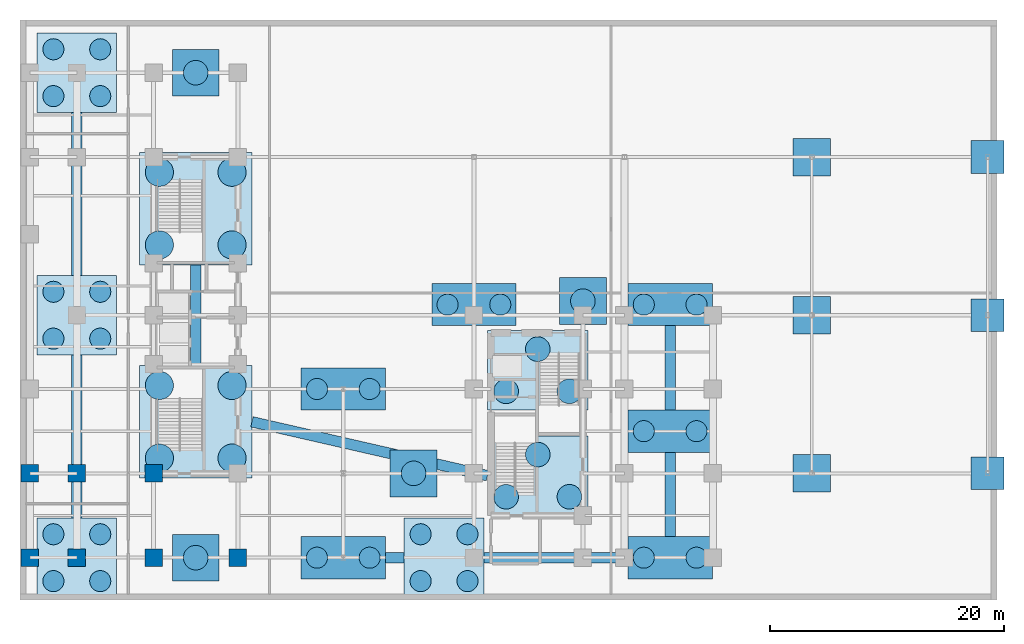
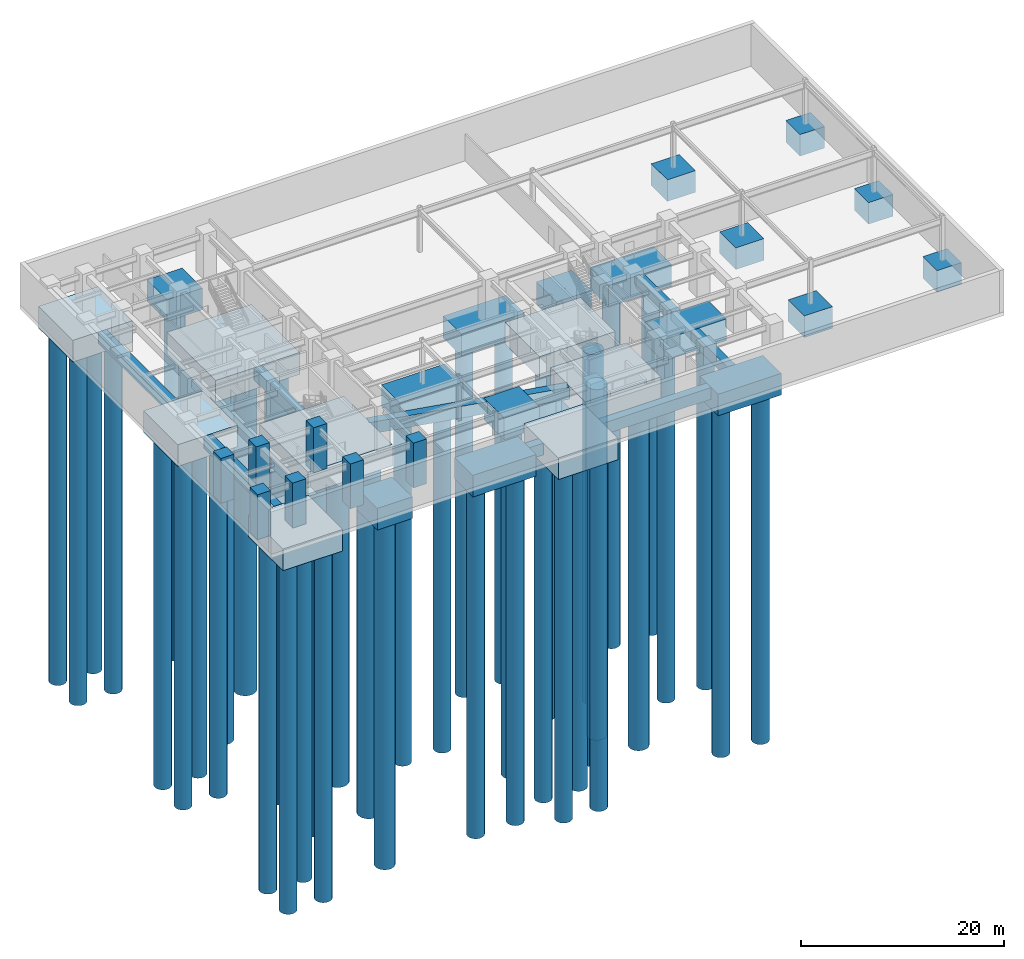
# One storey, part 1 of 11: 46 piles, 32 footings, 7 columns.
"""IFC4 building model written with IfcOpenShell, lengths in metres."""

from ifc_helpers import new_model, entity, si_unit, converted_unit, direction, frame, origin_with_axes, origin_2d_with_axis, place, context, subcontext, project, spatial, rectangle, circle, extrude, material, material_profile, profile_set, type_object, element, save


model = new_model("IFC4")

# Units and contexts
model_context = context("Model", 3, precision=1e-05, world=origin_with_axes(), true_north=direction((0.0, 1.0)))
body_context = subcontext(model_context, "Body", "Model", "MODEL_VIEW")
ifc_project = project(units=[si_unit("LENGTHUNIT", "METRE"), si_unit("AREAUNIT", "SQUARE_METRE"), si_unit("VOLUMEUNIT", "CUBIC_METRE"), converted_unit("PLANEANGLEUNIT", "DEGREE", entity("IfcPlaneAngleMeasure", 0.017453292519943295), si_unit("PLANEANGLEUNIT", "RADIAN"), dimensions=[0, 0, 0, 0, 0, 0, 0]), si_unit("MASSUNIT", "GRAM", prefix="KILO"), si_unit("THERMODYNAMICTEMPERATUREUNIT", "KELVIN")], contexts=[model_context])

# Site, building, storey
site_placement = place(None, origin_with_axes())
site = spatial("IfcSite", under=ifc_project, at=site_placement, CompositionType="ELEMENT")
building_placement = place(site_placement, origin_with_axes())
building = spatial("IfcBuilding", under=site, at=building_placement, Name="Varnlund Millrace Tower", CompositionType="ELEMENT")
storey_placement = place(building_placement, frame((0.0, 0.0, -10.2), z_axis=(0.0, 0.0, 1.0), x_axis=(1.0, 0.0, 0.0)))
storey = spatial("IfcBuildingStorey", under=building, at=storey_placement, Name="B2", CompositionType="ELEMENT", Elevation=-10.2)

# Piles
ifc_material_1 = material(Name="Concrete C50/60", Category="concrete")
ifc_material_profile_1 = material_profile(ifc_material_1, circle(Radius=0.9, at=origin_2d_with_axis()), Name="Concrete C50/60")
ifc_profile_set_1 = profile_set([ifc_material_profile_1], Name="Concrete C50/60")
pile_type_1 = type_object("IfcPileType", Name="Type-Caisson-D1800", PredefinedType="BORED", material=ifc_profile_set_1)
for number, where, z_axis, x_axis, name in (
    (1, (2.85, 1.6, -44.65), (0.0, 0.0, 1.0), (1.0, 0.0, 0.0), "Type-Caisson-D1800"),
    (2, (6.85, 1.6, -44.65), (0.0, 0.0, 1.0), (1.0, 0.0, 0.0), "Type-Caisson-D1800"),
    (3, (2.85, 5.6, -44.65), (0.0, 0.0, 1.0), (1.0, 0.0, 0.0), "Type-Caisson-D1800"),
    (4, (6.85, 5.6, -44.65), (0.0, 0.0, 1.0), (1.0, 0.0, 0.0), "Type-Caisson-D1800"),
    (5, (2.85, 22.3, -44.65), (0.0, 0.0, 1.0), (1.0, 0.0, 0.0), "Type-Caisson-D1800"),
    (6, (6.85, 22.3, -44.65), (0.0, 0.0, 1.0), (1.0, 0.0, 0.0), "Type-Caisson-D1800"),
    (7, (2.85, 26.3, -44.65), (0.0, 0.0, 1.0), (1.0, 0.0, 0.0), "Type-Caisson-D1800"),
    (8, (6.85, 26.3, -44.65), (0.0, 0.0, 1.0), (1.0, 0.0, 0.0), "Type-Caisson-D1800"),
    (9, (2.85, 43.0, -44.65), (0.0, 0.0, 1.0), (1.0, 0.0, 0.0), "Type-Caisson-D1800"),
    (10, (6.85, 43.0, -44.65), (0.0, 0.0, 1.0), (1.0, 0.0, 0.0), "Type-Caisson-D1800"),
    (11, (2.85, 47.0, -44.65), (0.0, 0.0, 1.0), (1.0, 0.0, 0.0), "Type-Caisson-D1800"),
    (12, (6.85, 47.0, -44.65), (0.0, 0.0, 1.0), (1.0, 0.0, 0.0), "Type-Caisson-D1800"),
    (13, (34.2, 1.6, -44.65), (0.0, 0.0, 1.0), (1.0, 0.0, 0.0), "Type-Caisson-D1800"),
    (14, (38.2, 1.6, -44.65), (0.0, 0.0, 1.0), (1.0, 0.0, 0.0), "Type-Caisson-D1800"),
    (15, (34.2, 5.6, -44.65), (0.0, 0.0, 1.0), (1.0, 0.0, 0.0), "Type-Caisson-D1800"),
    (16, (38.2, 5.6, -44.65), (0.0, 0.0, 1.0), (1.0, 0.0, 0.0), "Type-Caisson-D1800"),
    (17, (25.35, 3.6, -44.65), (0.0, 0.0, 1.0), (1.0, 0.0, 0.0), "Type-Caisson-D1800"),
    (18, (29.85, 3.6, -44.65), (0.0, 0.0, 1.0), (1.0, 0.0, 0.0), "Type-Caisson-D1800"),
    (19, (25.35, 18.0, -44.65), (0.0, 0.0, 1.0), (1.0, 0.0, 0.0), "Type-Caisson-D1800"),
    (20, (29.85, 18.0, -44.65), (0.0, 0.0, 1.0), (1.0, 0.0, 0.0), "Type-Caisson-D1800"),
    (21, (53.25, 3.6, -44.65), (0.0, 0.0, 1.0), (1.0, 0.0, 0.0), "Type-Caisson-D1800"),
    (22, (57.75, 3.6, -44.65), (0.0, 0.0, 1.0), (1.0, 0.0, 0.0), "Type-Caisson-D1800"),
    (23, (53.25, 14.4, -44.65), (0.0, 0.0, 1.0), (1.0, 0.0, 0.0), "Type-Caisson-D1800"),
    (24, (57.75, 14.4, -44.65), (0.0, 0.0, 1.0), (1.0, 0.0, 0.0), "Type-Caisson-D1800"),
    (25, (53.25, 25.2, -44.65), (0.0, 0.0, 1.0), (1.0, 0.0, 0.0), "Type-Caisson-D1800"),
    (26, (57.75, 25.2, -44.65), (0.0, 0.0, 1.0), (1.0, 0.0, 0.0), "Type-Caisson-D1800"),
    (27, (36.5, 25.2, -44.65), (0.0, 0.0, 1.0), (1.0, 0.0, 0.0), "Type-Caisson-D1800"),
    (28, (41.0, 25.2, -44.65), (0.0, 0.0, 1.0), (1.0, 0.0, 0.0), "Type-Caisson-D1800"),
):
    element("IfcPile", number, at=place(storey_placement, frame(where, z_axis=z_axis, x_axis=x_axis)), inside=storey, type_object=pile_type_1, Name=name, PredefinedType="BORED", context=body_context, shape_type="SweptSolid", body=[
        extrude(circle(Radius=0.9, at=origin_2d_with_axis()), origin_with_axes(), (0.0, 0.0, 1.0), 42.2),
    ])
ifc_material_profile_2 = material_profile(ifc_material_1, circle(Radius=1.05, at=origin_2d_with_axis()), Name="Concrete C50/60")
ifc_profile_set_2 = profile_set([ifc_material_profile_2], Name="Concrete C50/60")
pile_type_2 = type_object("IfcPileType", Name="Type-Caisson-D2100", PredefinedType="BORED", material=ifc_profile_set_2)
for number, where, z_axis, x_axis, name in (
    (29, (41.5, 8.8, -44.65), (0.0, 0.0, 1.0), (1.0, 0.0, 0.0), "Type-Caisson-D2100"),
    (30, (46.9, 8.8, -44.65), (0.0, 0.0, 1.0), (1.0, 0.0, 0.0), "Type-Caisson-D2100"),
    (31, (44.2, 12.4, -44.65), (0.0, 0.0, 1.0), (1.0, 0.0, 0.0), "Type-Caisson-D2100"),
    (32, (41.5, 17.8, -44.65), (0.0, 0.0, 1.0), (1.0, 0.0, 0.0), "Type-Caisson-D2100"),
    (33, (46.9, 17.8, -44.65), (0.0, 0.0, 1.0), (1.0, 0.0, 0.0), "Type-Caisson-D2100"),
    (34, (44.2, 21.4, -44.65), (0.0, 0.0, 1.0), (1.0, 0.0, 0.0), "Type-Caisson-D2100"),
    (35, (15.0, 3.6, -44.65), (0.0, 0.0, 1.0), (1.0, 0.0, 0.0), "Type-Caisson-D2100"),
    (36, (15.0, 45.0, -44.65), (0.0, 0.0, 1.0), (1.0, 0.0, 0.0), "Type-Caisson-D2100"),
    (37, (33.6, 10.8, -44.65), (0.0, 0.0, 1.0), (1.0, 0.0, 0.0), "Type-Caisson-D2100"),
    (38, (48.05, 25.5, -44.65), (0.0, 0.0, 1.0), (1.0, 0.0, 0.0), "Type-Caisson-D2100"),
):
    element("IfcPile", number, at=place(storey_placement, frame(where, z_axis=z_axis, x_axis=x_axis)), inside=storey, type_object=pile_type_2, Name=name, PredefinedType="BORED", context=body_context, shape_type="SweptSolid", body=[
        extrude(circle(Radius=1.05, at=origin_2d_with_axis()), origin_with_axes(), (0.0, 0.0, 1.0), 42.2),
    ])
ifc_material_profile_3 = material_profile(ifc_material_1, circle(Radius=1.2, at=origin_2d_with_axis()), Name="Concrete C50/60")
ifc_profile_set_3 = profile_set([ifc_material_profile_3], Name="Concrete C50/60")
pile_type_3 = type_object("IfcPileType", Name="Type-Caisson-D2400", PredefinedType="BORED", material=ifc_profile_set_3)
for number, where, z_axis, x_axis, name in (
    (39, (11.9, 12.1, -44.65), (0.0, 0.0, 1.0), (1.0, 0.0, 0.0), "Type-Caisson-D2400"),
    (40, (18.1, 12.1, -44.65), (0.0, 0.0, 1.0), (1.0, 0.0, 0.0), "Type-Caisson-D2400"),
    (41, (11.9, 18.3, -44.65), (0.0, 0.0, 1.0), (1.0, 0.0, 0.0), "Type-Caisson-D2400"),
    (42, (18.1, 18.3, -44.65), (0.0, 0.0, 1.0), (1.0, 0.0, 0.0), "Type-Caisson-D2400"),
    (43, (11.9, 30.3, -44.65), (0.0, 0.0, 1.0), (1.0, 0.0, 0.0), "Type-Caisson-D2400"),
    (44, (18.1, 30.3, -44.65), (0.0, 0.0, 1.0), (1.0, 0.0, 0.0), "Type-Caisson-D2400"),
    (45, (11.9, 36.5, -44.65), (0.0, 0.0, 1.0), (1.0, 0.0, 0.0), "Type-Caisson-D2400"),
    (46, (18.1, 36.5, -44.65), (0.0, 0.0, 1.0), (1.0, 0.0, 0.0), "Type-Caisson-D2400"),
):
    element("IfcPile", number, at=place(storey_placement, frame(where, z_axis=z_axis, x_axis=x_axis)), inside=storey, type_object=pile_type_3, Name=name, PredefinedType="BORED", context=body_context, shape_type="SweptSolid", body=[
        extrude(circle(Radius=1.2, at=origin_2d_with_axis()), origin_with_axes(), (0.0, 0.0, 1.0), 42.2),
    ])

# Footings
footing_type_1 = type_object("IfcFootingType", Name="Type-Caisson-Group-4000X4000X2600", PredefinedType="PILE_CAP", material=ifc_material_1)
for number, where, z_axis, x_axis, name in (
    (47, (15.0, 3.6, -2.6), (0.0, 0.0, 1.0), (1.0, 0.0, 0.0), "Type-Caisson-Group-4000X4000X2600"),
    (48, (15.0, 45.0, -2.6), (0.0, 0.0, 1.0), (1.0, 0.0, 0.0), "Type-Caisson-Group-4000X4000X2600"),
    (49, (33.6, 10.8, -2.6), (0.0, 0.0, 1.0), (1.0, 0.0, 0.0), "Type-Caisson-Group-4000X4000X2600"),
    (50, (48.05, 25.5, -2.6), (0.0, 0.0, 1.0), (1.0, 0.0, 0.0), "Type-Caisson-Group-4000X4000X2600"),
):
    element("IfcFooting", number, at=place(storey_placement, frame(where, z_axis=z_axis, x_axis=x_axis)), inside=storey, type_object=footing_type_1, Name=name, PredefinedType="PILE_CAP", context=body_context, shape_type="SweptSolid", body=[
        extrude(rectangle(XDim=4.0, YDim=4.0, at=origin_2d_with_axis()), origin_with_axes(), (0.0, 0.0, 1.0), 2.6),
    ])
footing_type_2 = type_object("IfcFootingType", Name="Type-Caisson-Group-6800X6800X2600", PredefinedType="PILE_CAP", material=ifc_material_1)
for number, where, z_axis, x_axis, name in (
    (51, (4.85, 3.6, -2.6), (0.0, 0.0, 1.0), (1.0, 0.0, 0.0), "Type-Caisson-Group-6800X6800X2600"),
    (52, (4.85, 24.3, -2.6), (0.0, 0.0, 1.0), (1.0, 0.0, 0.0), "Type-Caisson-Group-6800X6800X2600"),
    (53, (4.85, 45.0, -2.6), (0.0, 0.0, 1.0), (1.0, 0.0, 0.0), "Type-Caisson-Group-6800X6800X2600"),
    (54, (36.2, 3.6, -2.6), (0.0, 0.0, 1.0), (1.0, 0.0, 0.0), "Type-Caisson-Group-6800X6800X2600"),
):
    element("IfcFooting", number, at=place(storey_placement, frame(where, z_axis=z_axis, x_axis=x_axis)), inside=storey, type_object=footing_type_2, Name=name, PredefinedType="PILE_CAP", context=body_context, shape_type="SweptSolid", body=[
        extrude(rectangle(XDim=6.8, YDim=6.8, at=origin_2d_with_axis()), origin_with_axes(), (0.0, 0.0, 1.0), 2.6),
    ])
footing_type_3 = type_object("IfcFootingType", Name="Type-Caisson-Group-7200X3600X2600", PredefinedType="PILE_CAP", material=ifc_material_1)
for number, where, z_axis, x_axis, name in (
    (55, (27.6, 3.6, -2.6), (0.0, 0.0, 1.0), (1.0, 0.0, 0.0), "Type-Caisson-Group-7200X3600X2600"),
    (56, (27.6, 18.0, -2.6), (0.0, 0.0, 1.0), (1.0, 0.0, 0.0), "Type-Caisson-Group-7200X3600X2600"),
    (57, (55.5, 3.6, -2.6), (0.0, 0.0, 1.0), (1.0, 0.0, 0.0), "Type-Caisson-Group-7200X3600X2600"),
    (58, (55.5, 14.4, -2.6), (0.0, 0.0, 1.0), (1.0, 0.0, 0.0), "Type-Caisson-Group-7200X3600X2600"),
    (59, (55.5, 25.2, -2.6), (0.0, 0.0, 1.0), (1.0, 0.0, 0.0), "Type-Caisson-Group-7200X3600X2600"),
    (60, (38.75, 25.2, -2.6), (0.0, 0.0, 1.0), (1.0, 0.0, 0.0), "Type-Caisson-Group-7200X3600X2600"),
):
    element("IfcFooting", number, at=place(storey_placement, frame(where, z_axis=z_axis, x_axis=x_axis)), inside=storey, type_object=footing_type_3, Name=name, PredefinedType="PILE_CAP", context=body_context, shape_type="SweptSolid", body=[
        extrude(rectangle(XDim=7.2, YDim=3.6, at=origin_2d_with_axis()), origin_with_axes(), (0.0, 0.0, 1.0), 2.6),
    ])
footing_type_4 = type_object("IfcFootingType", Name="Type-Caisson-Group-8600X6800X2600", PredefinedType="PILE_CAP", material=ifc_material_1)
for number, where, z_axis, x_axis, name in (
    (61, (44.2, 10.6, -2.6), (0.0, 0.0, 1.0), (1.0, 0.0, 0.0), "Type-Caisson-Group-8600X6800X2600"),
    (62, (44.2, 19.6, -2.6), (0.0, 0.0, 1.0), (1.0, 0.0, 0.0), "Type-Caisson-Group-8600X6800X2600"),
):
    element("IfcFooting", number, at=place(storey_placement, frame(where, z_axis=z_axis, x_axis=x_axis)), inside=storey, type_object=footing_type_4, Name=name, PredefinedType="PILE_CAP", context=body_context, shape_type="SweptSolid", body=[
        extrude(rectangle(XDim=8.6, YDim=6.8, at=origin_2d_with_axis()), origin_with_axes(), (0.0, 0.0, 1.0), 2.6),
    ])
footing_type_5 = type_object("IfcFootingType", Name="Type-Caisson-Group-9600X9600X2600", PredefinedType="PILE_CAP", material=ifc_material_1)
for number, where, z_axis, x_axis, name in (
    (63, (15.0, 15.2, -2.6), (0.0, 0.0, 1.0), (1.0, 0.0, 0.0), "Type-Caisson-Group-9600X9600X2600"),
    (64, (15.0, 33.4, -2.6), (0.0, 0.0, 1.0), (1.0, 0.0, 0.0), "Type-Caisson-Group-9600X9600X2600"),
):
    element("IfcFooting", number, at=place(storey_placement, frame(where, z_axis=z_axis, x_axis=x_axis)), inside=storey, type_object=footing_type_5, Name=name, PredefinedType="PILE_CAP", context=body_context, shape_type="SweptSolid", body=[
        extrude(rectangle(XDim=9.6, YDim=9.6, at=origin_2d_with_axis()), origin_with_axes(), (0.0, 0.0, 1.0), 2.6),
    ])
footing_type_6 = type_object("IfcFootingType", Name="Type-Grade-Tie-900X1400", PredefinedType="FOOTING_BEAM", material=ifc_material_1)
for number, where, z_axis, x_axis, name in (
    (65, (4.85, 13.95, -1.4), (0.0, 0.0, 1.0), (0.0, 1.0, 0.0), "Type-Grade-Tie-900X1400"),
    (66, (4.85, 34.65, -1.4), (0.0, 0.0, 1.0), (0.0, 1.0, 0.0), "Type-Grade-Tie-900X1400"),
):
    element("IfcFooting", number, at=place(storey_placement, frame(where, z_axis=z_axis, x_axis=x_axis)), inside=storey, type_object=footing_type_6, Name=name, PredefinedType="FOOTING_BEAM", context=body_context, shape_type="SweptSolid", body=[
        extrude(rectangle(XDim=13.9, YDim=0.9, at=origin_2d_with_axis()), origin_with_axes(), (0.0, 0.0, 1.0), 1.4),
    ])
footing_1_placement = place(storey_placement, frame((15.0, 24.3, -1.4), z_axis=(0.0, 0.0, 1.0), x_axis=(0.0, 1.0, 0.0)))
element("IfcFooting", 67, at=footing_1_placement, inside=storey, type_object=footing_type_6, Name="Type-Grade-Tie-900X1400", PredefinedType="FOOTING_BEAM", context=body_context, shape_type="SweptSolid", body=[
    extrude(rectangle(XDim=8.6, YDim=0.9, at=origin_2d_with_axis()), origin_with_axes(), (0.0, 0.0, 1.0), 1.4),
])
footing_2_placement = place(storey_placement, frame((29.85, 12.9, -1.4), z_axis=(0.0, 0.0, 1.0), x_axis=(0.9748, -0.22308, 0.0)))
element("IfcFooting", 68, at=footing_2_placement, inside=storey, type_object=footing_type_6, Name="Type-Grade-Tie-900X1400", PredefinedType="FOOTING_BEAM", context=body_context, shape_type="SweptSolid", body=[
    extrude(rectangle(XDim=20.62, YDim=0.9, at=origin_2d_with_axis()), origin_with_axes(), (0.0, 0.0, 1.0), 1.4),
])
footing_3_placement = place(storey_placement, frame((32.0, 3.6, -1.4), z_axis=(0.0, 0.0, 1.0), x_axis=(1.0, 0.0, 0.0)))
element("IfcFooting", 69, at=footing_3_placement, inside=storey, type_object=footing_type_6, Name="Type-Grade-Tie-900X1400", PredefinedType="FOOTING_BEAM", context=body_context, shape_type="SweptSolid", body=[
    extrude(rectangle(XDim=1.6, YDim=0.9, at=origin_2d_with_axis()), origin_with_axes(), (0.0, 0.0, 1.0), 1.4),
])
footing_4_placement = place(storey_placement, frame((45.75, 3.6, -1.4), z_axis=(0.0, 0.0, 1.0), x_axis=(1.0, 0.0, 0.0)))
element("IfcFooting", 70, at=footing_4_placement, inside=storey, type_object=footing_type_6, Name="Type-Grade-Tie-900X1400", PredefinedType="FOOTING_BEAM", context=body_context, shape_type="SweptSolid", body=[
    extrude(rectangle(XDim=12.3, YDim=0.9, at=origin_2d_with_axis()), origin_with_axes(), (0.0, 0.0, 1.0), 1.4),
])
for number, where, z_axis, x_axis, name in (
    (71, (55.5, 9.0, -1.4), (0.0, 0.0, 1.0), (0.0, 1.0, 0.0), "Type-Grade-Tie-900X1400"),
    (72, (55.5, 19.8, -1.4), (0.0, 0.0, 1.0), (0.0, 1.0, 0.0), "Type-Grade-Tie-900X1400"),
):
    element("IfcFooting", number, at=place(storey_placement, frame(where, z_axis=z_axis, x_axis=x_axis)), inside=storey, type_object=footing_type_6, Name=name, PredefinedType="FOOTING_BEAM", context=body_context, shape_type="SweptSolid", body=[
        extrude(rectangle(XDim=7.2, YDim=0.9, at=origin_2d_with_axis()), origin_with_axes(), (0.0, 0.0, 1.0), 1.4),
    ])
footing_type_7 = type_object("IfcFootingType", Name="Type-Spread-Base-2800X2800X2600", PredefinedType="PAD_FOOTING", material=ifc_material_1)
for number, where, z_axis, x_axis, name in (
    (73, (82.6, 10.8, -2.6), (0.0, 0.0, 1.0), (1.0, 0.0, 0.0), "Type-Spread-Base-2800X2800X2600"),
    (74, (82.6, 24.3, -2.6), (0.0, 0.0, 1.0), (1.0, 0.0, 0.0), "Type-Spread-Base-2800X2800X2600"),
    (75, (82.6, 37.8, -2.6), (0.0, 0.0, 1.0), (1.0, 0.0, 0.0), "Type-Spread-Base-2800X2800X2600"),
):
    element("IfcFooting", number, at=place(storey_placement, frame(where, z_axis=z_axis, x_axis=x_axis)), inside=storey, type_object=footing_type_7, Name=name, PredefinedType="PAD_FOOTING", context=body_context, shape_type="SweptSolid", body=[
        extrude(rectangle(XDim=2.8, YDim=2.8, at=origin_2d_with_axis()), origin_with_axes(), (0.0, 0.0, 1.0), 2.6),
    ])
footing_type_8 = type_object("IfcFootingType", Name="Type-Spread-Base-3200X3200X2600", PredefinedType="PAD_FOOTING", material=ifc_material_1)
for number, where, z_axis, x_axis, name in (
    (76, (67.6, 10.8, -2.6), (0.0, 0.0, 1.0), (1.0, 0.0, 0.0), "Type-Spread-Base-3200X3200X2600"),
    (77, (67.6, 24.3, -2.6), (0.0, 0.0, 1.0), (1.0, 0.0, 0.0), "Type-Spread-Base-3200X3200X2600"),
    (78, (67.6, 37.8, -2.6), (0.0, 0.0, 1.0), (1.0, 0.0, 0.0), "Type-Spread-Base-3200X3200X2600"),
):
    element("IfcFooting", number, at=place(storey_placement, frame(where, z_axis=z_axis, x_axis=x_axis)), inside=storey, type_object=footing_type_8, Name=name, PredefinedType="PAD_FOOTING", context=body_context, shape_type="SweptSolid", body=[
        extrude(rectangle(XDim=3.2, YDim=3.2, at=origin_2d_with_axis()), origin_with_axes(), (0.0, 0.0, 1.0), 2.6),
    ])

# Columns
ifc_material_2 = material(Name="Concrete C80/95", Category="concrete")
ifc_material_profile_4 = material_profile(ifc_material_2, rectangle(XDim=1.5, YDim=1.5, at=origin_2d_with_axis()), Name="Concrete C80/95")
ifc_profile_set_4 = profile_set([ifc_material_profile_4], Name="Concrete C80/95")
column_type = type_object("IfcColumnType", Name="Type-Col-RC1500-C80", PredefinedType="COLUMN", material=ifc_profile_set_4)
for number, where, z_axis, x_axis, name in (
    (79, (11.4, 3.6, 0.0), (0.0, 0.0, 1.0), (1.0, 0.0, 0.0), "Type-Col-RC1500-C80"),
    (80, (11.4, 10.8, 0.0), (0.0, 0.0, 1.0), (1.0, 0.0, 0.0), "Type-Col-RC1500-C80"),
    (81, (18.6, 3.6, 0.0), (0.0, 0.0, 1.0), (1.0, 0.0, 0.0), "Type-Col-RC1500-C80"),
    (82, (4.85, 3.6, 0.0), (0.0, 0.0, 1.0), (1.0, 0.0, 0.0), "Type-Col-RC1500-C80"),
    (83, (4.85, 10.8, 0.0), (0.0, 0.0, 1.0), (1.0, 0.0, 0.0), "Type-Col-RC1500-C80"),
    (84, (0.85, 3.6, 0.0), (0.0, 0.0, 1.0), (1.0, 0.0, 0.0), "Type-Col-RC1500-C80"),
    (85, (0.85, 10.8, 0.0), (0.0, 0.0, 1.0), (1.0, 0.0, 0.0), "Type-Col-RC1500-C80"),
):
    element("IfcColumn", number, at=place(storey_placement, frame(where, z_axis=z_axis, x_axis=x_axis)), inside=storey, type_object=column_type, Name=name, PredefinedType="COLUMN", context=body_context, shape_type="SweptSolid", body=[
        extrude(rectangle(XDim=1.5, YDim=1.5, at=origin_2d_with_axis()), origin_with_axes(), (0.0, 0.0, 1.0), 5.4),
    ])

save(model, "model.ifc")
